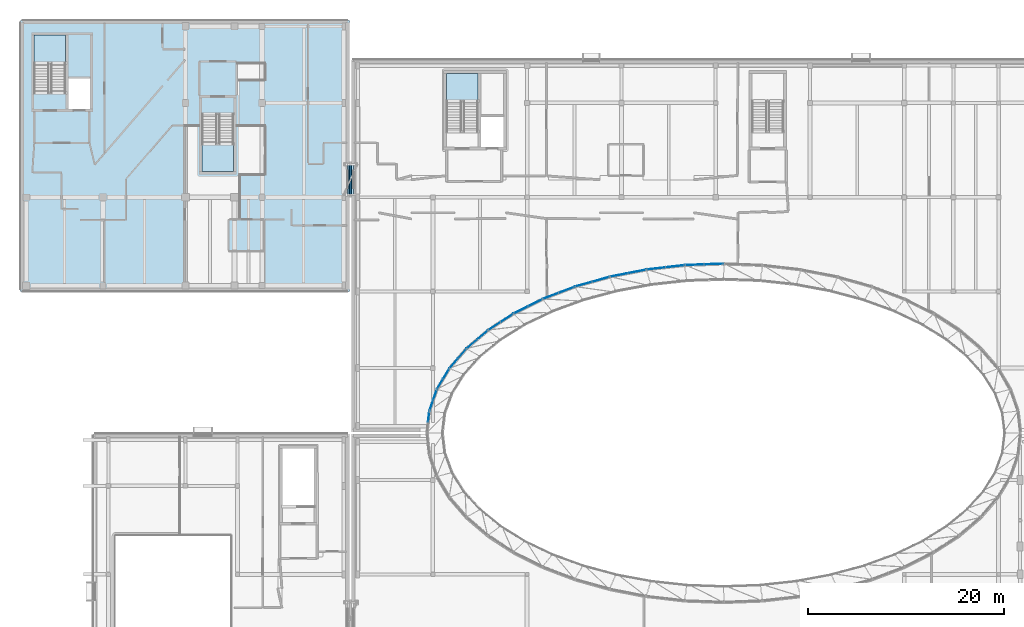
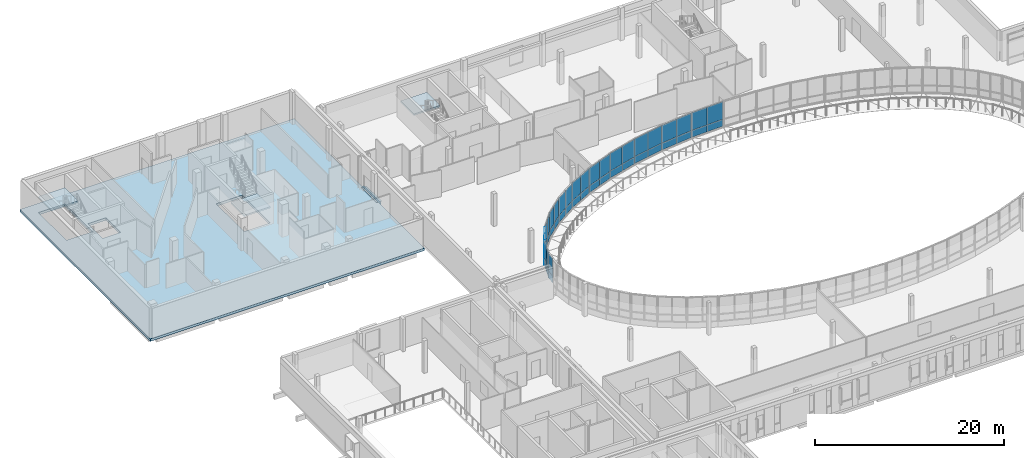
# One storey, part 32 of 73: 48 plates, 5 slabs, 15 elements without a shape of their own.
"""IFC4 building model written with IfcOpenShell, lengths in metres."""

import ifcopenshell
import ifcopenshell.guid

model = None  # the IFC model being written
_history = None  # IfcOwnerHistory: only IFC2X3 demands one
_inside = {}  # id of a spatial element -> (the spatial element, [elements in it])
_under = {}  # id of a project, library or spatial element -> (it, [spatial elements below it])
_declared = {}  # id of a project -> (the project, [libraries it declares])
_typed = {}  # id of a type object -> (the type object, [elements of that type])
_made_of = {}  # id of a material, layer set ... -> (it, [elements and type objects made of it])


def new_model(schema):
    """Start an empty IFC model of exactly this schema.

    Asked for "IFC4X3", IfcOpenShell would pick the latest addendum, in which some entities
    have other attributes; the version numbers below select the first issue.
    IFC2X3 requires an IfcOwnerHistory on every rooted entity: one is made here for all.
    """
    global model, _history
    if schema == "IFC4X3":
        model = ifcopenshell.file(schema_version=(4, 3, 0, 0))
    else:
        model = ifcopenshell.file(schema=schema)
    _inside.clear()
    _under.clear()
    _declared.clear()
    _typed.clear()
    _made_of.clear()
    _history = None
    if model.schema == "IFC2X3":
        org = make("IfcOrganization", Name="unknown")
        user = make(
            "IfcPersonAndOrganization",
            ThePerson=make("IfcPerson", FamilyName="unknown"),
            TheOrganization=org,
        )
        app = make(
            "IfcApplication",
            ApplicationDeveloper=org,
            Version="unknown",
            ApplicationFullName="unknown",
            ApplicationIdentifier="unknown",
        )
        _history = make(
            "IfcOwnerHistory",
            OwningUser=user,
            OwningApplication=app,
            ChangeAction="ADDED",
            CreationDate=0,
        )
    return model


def make(cls, **values):
    """One entity of the class cls with the attributes given. An attribute that is None is left unset."""
    return model.create_entity(
        cls, **{name: value for name, value in values.items() if value is not None}
    )


def rooted(cls, **values):
    """An entity with a GlobalId (a new one), such as an element, a storey or a relation."""
    return make(cls, GlobalId=ifcopenshell.guid.new(), OwnerHistory=_history, **values)


def si_unit(unit_type, name, prefix=None):
    """IfcSIUnit, for example si_unit("LENGTHUNIT", "METRE", prefix="MILLI")."""
    return make("IfcSIUnit", UnitType=unit_type, Prefix=prefix, Name=name)


def assignment(units):
    """IfcUnitAssignment: the units of a project."""
    return None if units is None else make("IfcUnitAssignment", Units=units)


def point(xyz):
    """IfcCartesianPoint."""
    return None if xyz is None else make("IfcCartesianPoint", Coordinates=xyz)


def direction(xyz):
    """IfcDirection."""
    return None if xyz is None else make("IfcDirection", DirectionRatios=xyz)


def frame(location, z_axis=None, x_axis=None):
    """IfcAxis2Placement3D, a coordinate frame: its origin and axes. An axis left out is left unset."""
    return make(
        "IfcAxis2Placement3D",
        Location=point(location),
        Axis=direction(z_axis),
        RefDirection=direction(x_axis),
    )


def frame_2d(location, x_axis=None):
    """IfcAxis2Placement2D, a coordinate frame in the plane: its origin and x axis."""
    return make(
        "IfcAxis2Placement2D", Location=point(location), RefDirection=direction(x_axis)
    )


def origin():
    """The frame at (0, 0, 0) with its axes left unset."""
    return frame((0.0, 0.0, 0.0))


def origin_2d():
    """The frame at (0, 0) in the plane with its x axis left unset."""
    return frame_2d((0.0, 0.0))


def place(relative_to, where):
    """IfcLocalPlacement: puts the frame where relative to a parent placement (None: the world)."""
    return make(
        "IfcLocalPlacement", PlacementRelTo=relative_to, RelativePlacement=where
    )


def context(
    kind, dimensions, precision=None, world=None, true_north=None, identifier=None
):
    """IfcGeometricRepresentationContext, for example the 3D "Model" context."""
    return make(
        "IfcGeometricRepresentationContext",
        ContextIdentifier=identifier,
        ContextType=kind,
        CoordinateSpaceDimension=dimensions,
        Precision=precision,
        WorldCoordinateSystem=world,
        TrueNorth=true_north,
    )


def subcontext(parent, identifier, kind, view, scale=None):
    """IfcGeometricRepresentationSubContext, for example "Body" below "Model"."""
    return make(
        "IfcGeometricRepresentationSubContext",
        ContextIdentifier=identifier,
        ContextType=kind,
        ParentContext=parent,
        TargetScale=scale,
        TargetView=view,
    )


def project(units=None, contexts=None):
    """IfcProject with its units and contexts."""
    return rooted(
        "IfcProject",
        Name="project",
        RepresentationContexts=contexts,
        UnitsInContext=assignment(units),
    )


def spatial(cls, under=None, at=None, **own):
    """A site, building, storey or space (cls), placed at a placement, below another one or the project."""
    s = rooted(cls, ObjectPlacement=at, **own)
    if under is not None:
        _under.setdefault(under.id(), (under, []))[1].append(s)
    return s


def polyline(points):
    """IfcPolyline through the points."""
    return make("IfcPolyline", Points=[point(p) for p in points])


def profile(cls, at=None, kind="AREA", **sizes):
    """A parametric profile (cls). Its sizes go by their IFC names, for example OverallWidth=200.0."""
    return make(cls, ProfileType=kind, Position=at, **sizes)


def rectangle(**sizes):
    """IfcRectangleProfileDef."""
    return profile("IfcRectangleProfileDef", **sizes)


def outline(outer, holes=None, kind="AREA"):
    """IfcArbitraryClosedProfileDef: a profile drawn as a closed curve; with holes, ...WithVoids."""
    if holes is None:
        return make("IfcArbitraryClosedProfileDef", ProfileType=kind, OuterCurve=outer)
    return make(
        "IfcArbitraryProfileDefWithVoids",
        ProfileType=kind,
        OuterCurve=outer,
        InnerCurves=holes,
    )


def extrude(swept, where, along, depth):
    """IfcExtrudedAreaSolid: the profile swept, set in the frame where, extruded along a direction by depth."""
    return make(
        "IfcExtrudedAreaSolid",
        SweptArea=swept,
        Position=where,
        ExtrudedDirection=direction(along),
        Depth=depth,
    )


def shape(context_of_items, identifier, shape_type, items):
    """IfcShapeRepresentation: the items that make up one representation, for example the "Body"."""
    return make(
        "IfcShapeRepresentation",
        ContextOfItems=context_of_items,
        RepresentationIdentifier=identifier,
        RepresentationType=shape_type,
        Items=items,
    )


def material(Name=None, Category=None):
    """IfcMaterial."""
    return make("IfcMaterial", Name=Name, Category=Category)


def layer(
    of_material, thickness, ventilated=None, Name=None, Category=None, Priority=None
):
    """IfcMaterialLayer: one layer of a wall or slab, of a material (None: an air gap)."""
    return make(
        "IfcMaterialLayer",
        Material=of_material,
        LayerThickness=thickness,
        IsVentilated=ventilated,
        Name=Name,
        Category=Category,
        Priority=Priority,
    )


def layer_set(layers, Name=None):
    """IfcMaterialLayerSet."""
    return make("IfcMaterialLayerSet", MaterialLayers=layers, LayerSetName=Name)


def made_of(thing, what):
    """Note that an element or type object is made of a material, layer set ...; save() writes the relation."""
    if what is not None:
        _made_of.setdefault(what.id(), (what, []))[1].append(thing)
    return thing


def type_object(cls, material=None, **own):
    """A type object (cls), such as IfcWallType, which elements share."""
    return made_of(rooted(cls, **own), material)


def element(
    cls,
    number,
    at=None,
    inside=None,
    cuts=None,
    type_object=None,
    material=None,
    context=None,
    identifier="Body",
    shape_type=None,
    held_by="IfcProductDefinitionShape",
    body=None,
    shapes=None,
    **own,
):
    """One element of the class cls, such as IfcWall. Its Tag is "e" and its number.

    at: its placement. inside: the storey or other place that contains it. cuts: it is an
    opening in that element (IfcRelVoidsElement). A single representation is given by context,
    identifier, shape_type and body (its items); several are given by shapes. held_by: the class
    of the entity that holds the representations. save() writes the other relations.
    """
    e = rooted(cls, Tag="e%d" % number, ObjectPlacement=at, **own)
    if body is not None:
        shapes = [shape(context, identifier, shape_type, body)]
    if shapes is not None:
        e.Representation = make(held_by, Representations=shapes)
    if inside is not None:
        _inside.setdefault(inside.id(), (inside, []))[1].append(e)
    if cuts is not None:
        rooted(
            "IfcRelVoidsElement", RelatingBuildingElement=cuts, RelatedOpeningElement=e
        )
    if type_object is not None:
        _typed.setdefault(type_object.id(), (type_object, []))[1].append(e)
    return made_of(e, material)


def aggregate(whole, parts):
    """IfcRelAggregates: a whole, such as a stair, and the parts it consists of."""
    return rooted("IfcRelAggregates", RelatingObject=whole, RelatedObjects=parts)


def save(model, path):
    """Write the relations noted so far, then the file.

    IfcRelAggregates (storeys below a building ...), IfcRelContainedInSpatialStructure (elements
    in a storey), IfcRelDefinesByType, IfcRelAssociatesMaterial and IfcRelDeclares: one each for
    every whole, place, type object, material and project.
    """
    for whole, parts in _under.values():
        aggregate(whole, parts)
    for where, things in _inside.values():
        rooted(
            "IfcRelContainedInSpatialStructure",
            RelatedElements=things,
            RelatingStructure=where,
        )
    for kind, things in _typed.values():
        rooted("IfcRelDefinesByType", RelatedObjects=things, RelatingType=kind)
    for what, things in _made_of.values():
        rooted("IfcRelAssociatesMaterial", RelatedObjects=things, RelatingMaterial=what)
    for by, libraries in _declared.values():
        rooted("IfcRelDeclares", RelatingContext=by, RelatedDefinitions=libraries)
    model.write(path)


model = new_model("IFC4")

# Units and contexts
model_context = context("Model", 3, precision=1e-05, world=origin(), true_north=direction((0.0, 1.0)))
body_context = subcontext(model_context, "Body", "Model", "MODEL_VIEW")
ifc_project = project(units=[si_unit("LENGTHUNIT", "METRE"), si_unit("AREAUNIT", "SQUARE_METRE"), si_unit("VOLUMEUNIT", "CUBIC_METRE"), si_unit("PLANEANGLEUNIT", "RADIAN"), si_unit("MASSUNIT", "GRAM", prefix="KILO")], contexts=[model_context])

# Site, building, storey
site_placement = place(None, origin())
site = spatial("IfcSite", under=ifc_project, at=site_placement, CompositionType="ELEMENT")
building_placement = place(site_placement, origin())
building = spatial("IfcBuilding", under=site, at=building_placement, Name="Mzevani Central Library", CompositionType="ELEMENT")
storey_placement = place(building_placement, frame((0.0, 0.0, 9.60009765625)))
storey = spatial("IfcBuildingStorey", under=building, at=storey_placement, Name="L02", CompositionType="ELEMENT", Elevation=9.60009765625)

# Curtain wall, plates
ifc_material_1 = material(Name="Thermally broken aluminium and Low-E triple glazing", Category="aluminium")
curtain_wall_type_1 = type_object("IfcCurtainWallType", Name="Reading Hall Northlight Curtain Wall", PredefinedType="NOTDEFINED", material=ifc_material_1)
curtain_wall_1_placement = place(storey_placement, origin())
curtain_wall_1 = element("IfcCurtainWall", 1, at=curtain_wall_1_placement, inside=storey, type_object=curtain_wall_type_1, Name="L02 Elliptical Court Curtain Wall 13", PredefinedType="NOTDEFINED")
ifc_material_2 = material(Name="Thermally broken aluminium AW-6060", Category="aluminium")
ifc_layer_1 = layer(ifc_material_2, 0.0419921875, Name="CW Insulated Spandrel Panel 42")
ifc_layer_set_1 = layer_set([ifc_layer_1], Name="Thermally broken aluminium AW-6060")
plate_type_1 = type_object("IfcPlateType", Name="CW Insulated Spandrel Panel 42", PredefinedType="CURTAIN_PANEL", material=ifc_layer_set_1)
plate_1_placement = place(storey_placement, frame((82.995849609375, 93.194580078125, 0.719970703125), z_axis=(0.0, 0.0, 1.0), x_axis=(-0.999309394498, -0.037158230165, 0.0)))
plate_1 = element("IfcPlate", 2, at=plate_1_placement, type_object=plate_type_1, Name="L02 Elliptical Court Curtain Wall 13 Spandrel Panel 1", PredefinedType="CURTAIN_PANEL", context=body_context, shape_type="SweptSolid", body=[
    extrude(rectangle(XDim=1.959228515625, YDim=0.0419921875, at=origin_2d()), origin(), (0.0, 0.0, 1.0), 0.89990234375),
])
plate_2_placement = place(storey_placement, frame((81.037841796875, 93.12158203125, 0.719970703125), z_axis=(0.0, 0.0, 1.0), x_axis=(-0.999309394498, -0.037158230165, 0.0)))
plate_2 = element("IfcPlate", 3, at=plate_2_placement, type_object=plate_type_1, Name="L02 Elliptical Court Curtain Wall 13 Spandrel Panel 3", PredefinedType="CURTAIN_PANEL", context=body_context, shape_type="SweptSolid", body=[
    extrude(rectangle(XDim=1.959228515625, YDim=0.0419921875, at=origin_2d()), origin(), (0.0, 0.0, 1.0), 0.89990234375),
])

curtain_wall_type_2 = type_object("IfcCurtainWallType", Name="Elliptical Court Unitised Curtain Wall", PredefinedType="NOTDEFINED", material=ifc_material_1)
curtain_wall_2_placement = place(storey_placement, origin())
curtain_wall_2 = element("IfcCurtainWall", 4, at=curtain_wall_2_placement, inside=storey, type_object=curtain_wall_type_2, Name="L02 Elliptical Court Curtain Wall 14", PredefinedType="NOTDEFINED")
plate_3_placement = place(storey_placement, frame((79.04931640625, 92.9658203125, 0.719970703125), z_axis=(0.0, 0.0, 1.0), x_axis=(-0.993696511115, -0.112103718933, 0.0)))
plate_3 = element("IfcPlate", 5, at=plate_3_placement, type_object=plate_type_1, Name="L02 Elliptical Court Curtain Wall 14 Spandrel Panel 1", PredefinedType="CURTAIN_PANEL", context=body_context, shape_type="SweptSolid", body=[
    extrude(rectangle(XDim=1.9365234375, YDim=0.0419921875, at=origin_2d()), origin(), (0.0, 0.0, 1.0), 0.89990234375),
])
plate_4_placement = place(storey_placement, frame((77.124755859375, 92.748779296875, 0.719970703125), z_axis=(0.0, 0.0, 1.0), x_axis=(-0.993696511115, -0.112103718933, 0.0)))
plate_4 = element("IfcPlate", 6, at=plate_4_placement, type_object=plate_type_1, Name="L02 Elliptical Court Curtain Wall 14 Spandrel Panel 3", PredefinedType="CURTAIN_PANEL", context=body_context, shape_type="SweptSolid", body=[
    extrude(rectangle(XDim=1.9365234375, YDim=0.0419921875, at=origin_2d()), origin(), (0.0, 0.0, 1.0), 0.89990234375),
])

curtain_wall_3_placement = place(storey_placement, origin())
curtain_wall_3 = element("IfcCurtainWall", 7, at=curtain_wall_3_placement, inside=storey, type_object=curtain_wall_type_2, Name="L02 Elliptical Court Curtain Wall 15", PredefinedType="NOTDEFINED")
plate_5_placement = place(storey_placement, frame((75.193359375, 92.442626953125, 0.719970703125), z_axis=(0.0, 0.0, 1.0), x_axis=(-0.981971911656, -0.189026888879, 0.0)))
plate_5 = element("IfcPlate", 8, at=plate_5_placement, type_object=plate_type_1, Name="L02 Elliptical Court Curtain Wall 15 Spandrel Panel 1", PredefinedType="CURTAIN_PANEL", context=body_context, shape_type="SweptSolid", body=[
    extrude(rectangle(XDim=1.89208984375, YDim=0.0419921875, at=origin_2d()), origin(), (0.0, 0.0, 1.0), 0.89990234375),
])
plate_6_placement = place(storey_placement, frame((73.33544921875, 92.0849609375, 0.719970703125), z_axis=(0.0, 0.0, 1.0), x_axis=(-0.981971911656, -0.189026888879, 0.0)))
plate_6 = element("IfcPlate", 9, at=plate_6_placement, type_object=plate_type_1, Name="L02 Elliptical Court Curtain Wall 15 Spandrel Panel 3", PredefinedType="CURTAIN_PANEL", context=body_context, shape_type="SweptSolid", body=[
    extrude(rectangle(XDim=1.89208984375, YDim=0.0419921875, at=origin_2d()), origin(), (0.0, 0.0, 1.0), 0.89990234375),
])

curtain_wall_4_placement = place(storey_placement, origin())
curtain_wall_4 = element("IfcCurtainWall", 10, at=curtain_wall_4_placement, inside=storey, type_object=curtain_wall_type_1, Name="L02 Elliptical Court Curtain Wall 16", PredefinedType="NOTDEFINED")
plate_7_placement = place(storey_placement, frame((71.4951171875, 91.63720703125, 0.719970703125), z_axis=(0.0, 0.0, 1.0), x_axis=(-0.9630535978, -0.269309798865, 0.0)))
plate_7 = element("IfcPlate", 11, at=plate_7_placement, type_object=plate_type_1, Name="L02 Elliptical Court Curtain Wall 16 Spandrel Panel 1", PredefinedType="CURTAIN_PANEL", context=body_context, shape_type="SweptSolid", body=[
    extrude(rectangle(XDim=1.827392578125, YDim=0.0419921875, at=origin_2d()), origin(), (0.0, 0.0, 1.0), 0.89990234375),
])
plate_8_placement = place(storey_placement, frame((69.735595703125, 91.145263671875, 0.719970703125), z_axis=(0.0, 0.0, 1.0), x_axis=(-0.9630535978, -0.269309798865, 0.0)))
plate_8 = element("IfcPlate", 12, at=plate_8_placement, type_object=plate_type_1, Name="L02 Elliptical Court Curtain Wall 16 Spandrel Panel 3", PredefinedType="CURTAIN_PANEL", context=body_context, shape_type="SweptSolid", body=[
    extrude(rectangle(XDim=1.827392578125, YDim=0.0419921875, at=origin_2d()), origin(), (0.0, 0.0, 1.0), 0.89990234375),
])

curtain_wall_5_placement = place(storey_placement, origin())
curtain_wall_5 = element("IfcCurtainWall", 13, at=curtain_wall_5_placement, inside=storey, type_object=curtain_wall_type_2, Name="L02 Elliptical Court Curtain Wall 17", PredefinedType="NOTDEFINED")
plate_9_placement = place(storey_placement, frame((68.0166015625, 90.56640625, 0.719970703125), z_axis=(0.0, 0.0, 1.0), x_axis=(-0.935125934048, -0.354315519659, 0.0)))
plate_9 = element("IfcPlate", 14, at=plate_9_placement, type_object=plate_type_1, Name="L02 Elliptical Court Curtain Wall 17 Spandrel Panel 1", PredefinedType="CURTAIN_PANEL", context=body_context, shape_type="SweptSolid", body=[
    extrude(rectangle(XDim=1.74462890625, YDim=0.0419921875, at=origin_2d()), origin(), (0.0, 0.0, 1.0), 0.89990234375),
])
plate_10_placement = place(storey_placement, frame((66.385009765625, 89.9482421875, 0.719970703125), z_axis=(0.0, 0.0, 1.0), x_axis=(-0.935125934048, -0.354315519659, 0.0)))
plate_10 = element("IfcPlate", 15, at=plate_10_placement, type_object=plate_type_1, Name="L02 Elliptical Court Curtain Wall 17 Spandrel Panel 3", PredefinedType="CURTAIN_PANEL", context=body_context, shape_type="SweptSolid", body=[
    extrude(rectangle(XDim=1.74462890625, YDim=0.0419921875, at=origin_2d()), origin(), (0.0, 0.0, 1.0), 0.89990234375),
])

curtain_wall_6_placement = place(storey_placement, origin())
curtain_wall_6 = element("IfcCurtainWall", 16, at=curtain_wall_6_placement, inside=storey, type_object=curtain_wall_type_2, Name="L02 Elliptical Court Curtain Wall 18", PredefinedType="NOTDEFINED")
plate_11_placement = place(storey_placement, frame((64.81494140625, 89.24951171875, 0.719970703125), z_axis=(0.0, 0.0, 1.0), x_axis=(-0.89539024804, -0.445282274198, 0.0)))
plate_11 = element("IfcPlate", 17, at=plate_11_placement, type_object=plate_type_1, Name="L02 Elliptical Court Curtain Wall 18 Spandrel Panel 1", PredefinedType="CURTAIN_PANEL", context=body_context, shape_type="SweptSolid", body=[
    extrude(rectangle(XDim=1.6474609375, YDim=0.0419921875, at=origin_2d()), origin(), (0.0, 0.0, 1.0), 0.89990234375),
])
plate_12_placement = place(storey_placement, frame((63.339599609375, 88.515869140625, 0.719970703125), z_axis=(0.0, 0.0, 1.0), x_axis=(-0.89539024804, -0.445282274198, 0.0)))
plate_12 = element("IfcPlate", 18, at=plate_12_placement, type_object=plate_type_1, Name="L02 Elliptical Court Curtain Wall 18 Spandrel Panel 3", PredefinedType="CURTAIN_PANEL", context=body_context, shape_type="SweptSolid", body=[
    extrude(rectangle(XDim=1.6474609375, YDim=0.0419921875, at=origin_2d()), origin(), (0.0, 0.0, 1.0), 0.89990234375),
])

curtain_wall_7_placement = place(storey_placement, origin())
curtain_wall_7 = element("IfcCurtainWall", 19, at=curtain_wall_7_placement, inside=storey, type_object=curtain_wall_type_1, Name="L02 Elliptical Court Curtain Wall 19", PredefinedType="NOTDEFINED")
plate_13_placement = place(storey_placement, frame((61.94287109375, 87.709228515625, 0.719970703125), z_axis=(0.0, 0.0, 1.0), x_axis=(-0.839732660597, -0.543000054076, 0.0)))
plate_13 = element("IfcPlate", 20, at=plate_13_placement, type_object=plate_type_1, Name="L02 Elliptical Court Curtain Wall 19 Spandrel Panel 1", PredefinedType="CURTAIN_PANEL", context=body_context, shape_type="SweptSolid", body=[
    extrude(rectangle(XDim=1.54052734375, YDim=0.0419921875, at=origin_2d()), origin(), (0.0, 0.0, 1.0), 0.89990234375),
])
plate_14_placement = place(storey_placement, frame((60.649169921875, 86.87255859375, 0.719970703125), z_axis=(0.0, 0.0, 1.0), x_axis=(-0.839732660597, -0.543000054076, 0.0)))
plate_14 = element("IfcPlate", 21, at=plate_14_placement, type_object=plate_type_1, Name="L02 Elliptical Court Curtain Wall 19 Spandrel Panel 3", PredefinedType="CURTAIN_PANEL", context=body_context, shape_type="SweptSolid", body=[
    extrude(rectangle(XDim=1.54052734375, YDim=0.0419921875, at=origin_2d()), origin(), (0.0, 0.0, 1.0), 0.89990234375),
])

curtain_wall_8_placement = place(storey_placement, origin())
curtain_wall_8 = element("IfcCurtainWall", 22, at=curtain_wall_8_placement, inside=storey, type_object=curtain_wall_type_2, Name="L02 Elliptical Court Curtain Wall 20", PredefinedType="NOTDEFINED")
plate_15_placement = place(storey_placement, frame((59.44873046875, 85.971923828125, 0.719970703125), z_axis=(0.0, 0.0, 1.0), x_axis=(-0.762434605675, -0.647065276514, 0.0)))
plate_15 = element("IfcPlate", 23, at=plate_15_placement, type_object=plate_type_1, Name="L02 Elliptical Court Curtain Wall 20 Spandrel Panel 1", PredefinedType="CURTAIN_PANEL", context=body_context, shape_type="SweptSolid", body=[
    extrude(rectangle(XDim=1.4296875, YDim=0.0419921875, at=origin_2d()), origin(), (0.0, 0.0, 1.0), 0.89990234375),
])
plate_16_placement = place(storey_placement, frame((58.358642578125, 85.046630859375, 0.719970703125), z_axis=(0.0, 0.0, 1.0), x_axis=(-0.762434605675, -0.647065276514, 0.0)))
plate_16 = element("IfcPlate", 24, at=plate_16_placement, type_object=plate_type_1, Name="L02 Elliptical Court Curtain Wall 20 Spandrel Panel 3", PredefinedType="CURTAIN_PANEL", context=body_context, shape_type="SweptSolid", body=[
    extrude(rectangle(XDim=1.4296875, YDim=0.0419921875, at=origin_2d()), origin(), (0.0, 0.0, 1.0), 0.89990234375),
])

curtain_wall_9_placement = place(storey_placement, origin())
curtain_wall_9 = element("IfcCurtainWall", 25, at=curtain_wall_9_placement, inside=storey, type_object=curtain_wall_type_2, Name="L02 Elliptical Court Curtain Wall 21", PredefinedType="NOTDEFINED")
plate_17_placement = place(storey_placement, frame((57.37353515625, 84.06640625, 0.719970703125), z_axis=(0.0, 0.0, 1.0), x_axis=(-0.656226299394, -0.754564141729, 0.0)))
plate_17 = element("IfcPlate", 26, at=plate_17_placement, type_object=plate_type_1, Name="L02 Elliptical Court Curtain Wall 21 Spandrel Panel 1", PredefinedType="CURTAIN_PANEL", context=body_context, shape_type="SweptSolid", body=[
    extrude(rectangle(XDim=1.322509765625, YDim=0.0419921875, at=origin_2d()), origin(), (0.0, 0.0, 1.0), 0.89990234375),
])
plate_18_placement = place(storey_placement, frame((56.505615234375, 83.068603515625, 0.719970703125), z_axis=(0.0, 0.0, 1.0), x_axis=(-0.656226299394, -0.754564141729, 0.0)))
plate_18 = element("IfcPlate", 27, at=plate_18_placement, type_object=plate_type_1, Name="L02 Elliptical Court Curtain Wall 21 Spandrel Panel 3", PredefinedType="CURTAIN_PANEL", context=body_context, shape_type="SweptSolid", body=[
    extrude(rectangle(XDim=1.322509765625, YDim=0.0419921875, at=origin_2d()), origin(), (0.0, 0.0, 1.0), 0.89990234375),
])

curtain_wall_10_placement = place(storey_placement, origin())
curtain_wall_10 = element("IfcCurtainWall", 28, at=curtain_wall_10_placement, inside=storey, type_object=curtain_wall_type_1, Name="L02 Elliptical Court Curtain Wall 22", PredefinedType="NOTDEFINED")
plate_19_placement = place(storey_placement, frame((55.752197265625, 82.025146484375, 0.719970703125), z_axis=(0.0, 0.0, 1.0), x_axis=(-0.513620622967, -0.858017398228, 0.0)))
plate_19 = element("IfcPlate", 29, at=plate_19_placement, type_object=plate_type_1, Name="L02 Elliptical Court Curtain Wall 22 Spandrel Panel 1", PredefinedType="CURTAIN_PANEL", context=body_context, shape_type="SweptSolid", body=[
    extrude(rectangle(XDim=1.227783203125, YDim=0.0419921875, at=origin_2d()), origin(), (0.0, 0.0, 1.0), 0.89990234375),
])
plate_20_placement = place(storey_placement, frame((55.12158203125, 80.971435546875, 0.719970703125), z_axis=(0.0, 0.0, 1.0), x_axis=(-0.513620622967, -0.858017398228, 0.0)))
plate_20 = element("IfcPlate", 30, at=plate_20_placement, type_object=plate_type_1, Name="L02 Elliptical Court Curtain Wall 22 Spandrel Panel 3", PredefinedType="CURTAIN_PANEL", context=body_context, shape_type="SweptSolid", body=[
    extrude(rectangle(XDim=1.227783203125, YDim=0.0419921875, at=origin_2d()), origin(), (0.0, 0.0, 1.0), 0.89990234375),
])

curtain_wall_11_placement = place(storey_placement, origin())
curtain_wall_11 = element("IfcCurtainWall", 31, at=curtain_wall_11_placement, inside=storey, type_object=curtain_wall_type_2, Name="L02 Elliptical Court Curtain Wall 23", PredefinedType="NOTDEFINED")
plate_21_placement = place(storey_placement, frame((54.6123046875, 79.882080078125, 0.719970703125), z_axis=(0.0, 0.0, 1.0), x_axis=(-0.331001932634, -0.943630076138, 0.0)))
plate_21 = element("IfcPlate", 32, at=plate_21_placement, type_object=plate_type_1, Name="L02 Elliptical Court Curtain Wall 23 Spandrel Panel 1", PredefinedType="CURTAIN_PANEL", context=body_context, shape_type="SweptSolid", body=[
    extrude(rectangle(XDim=1.156494140625, YDim=0.0419921875, at=origin_2d()), origin(), (0.0, 0.0, 1.0), 0.89990234375),
])
plate_22_placement = place(storey_placement, frame((54.2294921875, 78.790771484375, 0.719970703125), z_axis=(0.0, 0.0, 1.0), x_axis=(-0.331001932634, -0.943630076138, 0.0)))
plate_22 = element("IfcPlate", 33, at=plate_22_placement, type_object=plate_type_1, Name="L02 Elliptical Court Curtain Wall 23 Spandrel Panel 3", PredefinedType="CURTAIN_PANEL", context=body_context, shape_type="SweptSolid", body=[
    extrude(rectangle(XDim=1.156494140625, YDim=0.0419921875, at=origin_2d()), origin(), (0.0, 0.0, 1.0), 0.89990234375),
])

# Curtain wall, plate
curtain_wall_12_placement = place(storey_placement, origin())
curtain_wall_12 = element("IfcCurtainWall", 34, at=curtain_wall_12_placement, inside=storey, type_object=curtain_wall_type_2, Name="L02 Elliptical Court Curtain Wall 24", PredefinedType="NOTDEFINED")
plate_23_placement = place(storey_placement, frame((53.97265625, 77.673583984375, 0.719970703125), z_axis=(0.0, 0.0, 1.0), x_axis=(-0.114794980787, -0.993389204887, 0.0)))
plate_23 = element("IfcPlate", 35, at=plate_23_placement, type_object=plate_type_1, Name="L02 Elliptical Court Curtain Wall 24 Spandrel Panel 1", PredefinedType="CURTAIN_PANEL", context=body_context, shape_type="SweptSolid", body=[
    extrude(rectangle(XDim=1.11767578125, YDim=0.0419921875, at=origin_2d()), origin(), (0.0, 0.0, 1.0), 0.89990234375),
])

# Plate
ifc_material_3 = material(Name="Low-E triple glazing glass", Category="glass")
ifc_layer_2 = layer(ifc_material_3, 0.028076171875, Name="CW Triple Glazed Vision Panel 28")
ifc_layer_set_2 = layer_set([ifc_layer_2], Name="Low-E triple glazing glass")
plate_type_2 = type_object("IfcPlateType", Name="CW Triple Glazed Vision Panel 28", PredefinedType="CURTAIN_PANEL", material=ifc_layer_set_2)
plate_24_placement = place(storey_placement, frame((82.995849609375, 93.194580078125, 1.6201171875), z_axis=(0.0, 0.0, 1.0), x_axis=(-0.999309394498, -0.037158230165, 0.0)))
plate_24 = element("IfcPlate", 36, at=plate_24_placement, type_object=plate_type_2, Name="L02 Elliptical Court Curtain Wall 13 Vision Panel 2", PredefinedType="CURTAIN_PANEL", context=body_context, shape_type="SweptSolid", body=[
    extrude(rectangle(XDim=1.959228515625, YDim=0.028076171875, at=origin_2d()), origin(), (0.0, 0.0, 1.0), 2.300048828125),
])

plate_25_placement = place(storey_placement, frame((81.037841796875, 93.12158203125, 1.6201171875), z_axis=(0.0, 0.0, 1.0), x_axis=(-0.999309394498, -0.037158230165, 0.0)))
plate_25 = element("IfcPlate", 37, at=plate_25_placement, type_object=plate_type_2, Name="L02 Elliptical Court Curtain Wall 13 Vision Panel 4", PredefinedType="CURTAIN_PANEL", context=body_context, shape_type="SweptSolid", body=[
    extrude(rectangle(XDim=1.959228515625, YDim=0.028076171875, at=origin_2d()), origin(), (0.0, 0.0, 1.0), 2.300048828125),
])

aggregate(curtain_wall_1, [plate_1, plate_24, plate_2, plate_25])

plate_26_placement = place(storey_placement, frame((79.04931640625, 92.9658203125, 1.6201171875), z_axis=(0.0, 0.0, 1.0), x_axis=(-0.993696511115, -0.112103718933, 0.0)))
plate_26 = element("IfcPlate", 38, at=plate_26_placement, type_object=plate_type_2, Name="L02 Elliptical Court Curtain Wall 14 Vision Panel 2", PredefinedType="CURTAIN_PANEL", context=body_context, shape_type="SweptSolid", body=[
    extrude(rectangle(XDim=1.9365234375, YDim=0.028076171875, at=origin_2d()), origin(), (0.0, 0.0, 1.0), 2.300048828125),
])

plate_27_placement = place(storey_placement, frame((77.124755859375, 92.748779296875, 1.6201171875), z_axis=(0.0, 0.0, 1.0), x_axis=(-0.993696511115, -0.112103718933, 0.0)))
plate_27 = element("IfcPlate", 39, at=plate_27_placement, type_object=plate_type_2, Name="L02 Elliptical Court Curtain Wall 14 Vision Panel 4", PredefinedType="CURTAIN_PANEL", context=body_context, shape_type="SweptSolid", body=[
    extrude(rectangle(XDim=1.9365234375, YDim=0.028076171875, at=origin_2d()), origin(), (0.0, 0.0, 1.0), 2.300048828125),
])

aggregate(curtain_wall_2, [plate_3, plate_26, plate_4, plate_27])

plate_28_placement = place(storey_placement, frame((75.193359375, 92.442626953125, 1.6201171875), z_axis=(0.0, 0.0, 1.0), x_axis=(-0.981971911656, -0.189026888879, 0.0)))
plate_28 = element("IfcPlate", 40, at=plate_28_placement, type_object=plate_type_2, Name="L02 Elliptical Court Curtain Wall 15 Vision Panel 2", PredefinedType="CURTAIN_PANEL", context=body_context, shape_type="SweptSolid", body=[
    extrude(rectangle(XDim=1.89208984375, YDim=0.028076171875, at=origin_2d()), origin(), (0.0, 0.0, 1.0), 2.300048828125),
])

plate_29_placement = place(storey_placement, frame((73.33544921875, 92.0849609375, 1.6201171875), z_axis=(0.0, 0.0, 1.0), x_axis=(-0.981971911656, -0.189026888879, 0.0)))
plate_29 = element("IfcPlate", 41, at=plate_29_placement, type_object=plate_type_2, Name="L02 Elliptical Court Curtain Wall 15 Vision Panel 4", PredefinedType="CURTAIN_PANEL", context=body_context, shape_type="SweptSolid", body=[
    extrude(rectangle(XDim=1.89208984375, YDim=0.028076171875, at=origin_2d()), origin(), (0.0, 0.0, 1.0), 2.300048828125),
])

aggregate(curtain_wall_3, [plate_5, plate_28, plate_6, plate_29])

plate_30_placement = place(storey_placement, frame((71.4951171875, 91.63720703125, 1.6201171875), z_axis=(0.0, 0.0, 1.0), x_axis=(-0.9630535978, -0.269309798865, 0.0)))
plate_30 = element("IfcPlate", 42, at=plate_30_placement, type_object=plate_type_2, Name="L02 Elliptical Court Curtain Wall 16 Vision Panel 2", PredefinedType="CURTAIN_PANEL", context=body_context, shape_type="SweptSolid", body=[
    extrude(rectangle(XDim=1.827392578125, YDim=0.028076171875, at=origin_2d()), origin(), (0.0, 0.0, 1.0), 2.300048828125),
])

plate_31_placement = place(storey_placement, frame((69.735595703125, 91.145263671875, 1.6201171875), z_axis=(0.0, 0.0, 1.0), x_axis=(-0.9630535978, -0.269309798865, 0.0)))
plate_31 = element("IfcPlate", 43, at=plate_31_placement, type_object=plate_type_2, Name="L02 Elliptical Court Curtain Wall 16 Vision Panel 4", PredefinedType="CURTAIN_PANEL", context=body_context, shape_type="SweptSolid", body=[
    extrude(rectangle(XDim=1.827392578125, YDim=0.028076171875, at=origin_2d()), origin(), (0.0, 0.0, 1.0), 2.300048828125),
])

aggregate(curtain_wall_4, [plate_7, plate_30, plate_8, plate_31])

plate_32_placement = place(storey_placement, frame((68.0166015625, 90.56640625, 1.6201171875), z_axis=(0.0, 0.0, 1.0), x_axis=(-0.935125934048, -0.354315519659, 0.0)))
plate_32 = element("IfcPlate", 44, at=plate_32_placement, type_object=plate_type_2, Name="L02 Elliptical Court Curtain Wall 17 Vision Panel 2", PredefinedType="CURTAIN_PANEL", context=body_context, shape_type="SweptSolid", body=[
    extrude(rectangle(XDim=1.74462890625, YDim=0.028076171875, at=origin_2d()), origin(), (0.0, 0.0, 1.0), 2.300048828125),
])

plate_33_placement = place(storey_placement, frame((66.385009765625, 89.9482421875, 1.6201171875), z_axis=(0.0, 0.0, 1.0), x_axis=(-0.935125934048, -0.354315519659, 0.0)))
plate_33 = element("IfcPlate", 45, at=plate_33_placement, type_object=plate_type_2, Name="L02 Elliptical Court Curtain Wall 17 Vision Panel 4", PredefinedType="CURTAIN_PANEL", context=body_context, shape_type="SweptSolid", body=[
    extrude(rectangle(XDim=1.74462890625, YDim=0.028076171875, at=origin_2d()), origin(), (0.0, 0.0, 1.0), 2.300048828125),
])

aggregate(curtain_wall_5, [plate_9, plate_32, plate_10, plate_33])

plate_34_placement = place(storey_placement, frame((64.81494140625, 89.24951171875, 1.6201171875), z_axis=(0.0, 0.0, 1.0), x_axis=(-0.89539024804, -0.445282274198, 0.0)))
plate_34 = element("IfcPlate", 46, at=plate_34_placement, type_object=plate_type_2, Name="L02 Elliptical Court Curtain Wall 18 Vision Panel 2", PredefinedType="CURTAIN_PANEL", context=body_context, shape_type="SweptSolid", body=[
    extrude(rectangle(XDim=1.6474609375, YDim=0.028076171875, at=origin_2d()), origin(), (0.0, 0.0, 1.0), 2.300048828125),
])

plate_35_placement = place(storey_placement, frame((63.339599609375, 88.515869140625, 1.6201171875), z_axis=(0.0, 0.0, 1.0), x_axis=(-0.89539024804, -0.445282274198, 0.0)))
plate_35 = element("IfcPlate", 47, at=plate_35_placement, type_object=plate_type_2, Name="L02 Elliptical Court Curtain Wall 18 Vision Panel 4", PredefinedType="CURTAIN_PANEL", context=body_context, shape_type="SweptSolid", body=[
    extrude(rectangle(XDim=1.6474609375, YDim=0.028076171875, at=origin_2d()), origin(), (0.0, 0.0, 1.0), 2.300048828125),
])

aggregate(curtain_wall_6, [plate_11, plate_34, plate_12, plate_35])

plate_36_placement = place(storey_placement, frame((61.94287109375, 87.709228515625, 1.6201171875), z_axis=(0.0, 0.0, 1.0), x_axis=(-0.839732660597, -0.543000054076, 0.0)))
plate_36 = element("IfcPlate", 48, at=plate_36_placement, type_object=plate_type_2, Name="L02 Elliptical Court Curtain Wall 19 Vision Panel 2", PredefinedType="CURTAIN_PANEL", context=body_context, shape_type="SweptSolid", body=[
    extrude(rectangle(XDim=1.54052734375, YDim=0.028076171875, at=origin_2d()), origin(), (0.0, 0.0, 1.0), 2.300048828125),
])

plate_37_placement = place(storey_placement, frame((60.649169921875, 86.87255859375, 1.6201171875), z_axis=(0.0, 0.0, 1.0), x_axis=(-0.839732660597, -0.543000054076, 0.0)))
plate_37 = element("IfcPlate", 49, at=plate_37_placement, type_object=plate_type_2, Name="L02 Elliptical Court Curtain Wall 19 Vision Panel 4", PredefinedType="CURTAIN_PANEL", context=body_context, shape_type="SweptSolid", body=[
    extrude(rectangle(XDim=1.54052734375, YDim=0.028076171875, at=origin_2d()), origin(), (0.0, 0.0, 1.0), 2.300048828125),
])

aggregate(curtain_wall_7, [plate_13, plate_36, plate_14, plate_37])

plate_38_placement = place(storey_placement, frame((59.44873046875, 85.971923828125, 1.6201171875), z_axis=(0.0, 0.0, 1.0), x_axis=(-0.762434605675, -0.647065276514, 0.0)))
plate_38 = element("IfcPlate", 50, at=plate_38_placement, type_object=plate_type_2, Name="L02 Elliptical Court Curtain Wall 20 Vision Panel 2", PredefinedType="CURTAIN_PANEL", context=body_context, shape_type="SweptSolid", body=[
    extrude(rectangle(XDim=1.4296875, YDim=0.028076171875, at=origin_2d()), origin(), (0.0, 0.0, 1.0), 2.300048828125),
])

plate_39_placement = place(storey_placement, frame((58.358642578125, 85.046630859375, 1.6201171875), z_axis=(0.0, 0.0, 1.0), x_axis=(-0.762434605675, -0.647065276514, 0.0)))
plate_39 = element("IfcPlate", 51, at=plate_39_placement, type_object=plate_type_2, Name="L02 Elliptical Court Curtain Wall 20 Vision Panel 4", PredefinedType="CURTAIN_PANEL", context=body_context, shape_type="SweptSolid", body=[
    extrude(rectangle(XDim=1.4296875, YDim=0.028076171875, at=origin_2d()), origin(), (0.0, 0.0, 1.0), 2.300048828125),
])

aggregate(curtain_wall_8, [plate_15, plate_38, plate_16, plate_39])

plate_40_placement = place(storey_placement, frame((57.37353515625, 84.06640625, 1.6201171875), z_axis=(0.0, 0.0, 1.0), x_axis=(-0.656226299394, -0.754564141729, 0.0)))
plate_40 = element("IfcPlate", 52, at=plate_40_placement, type_object=plate_type_2, Name="L02 Elliptical Court Curtain Wall 21 Vision Panel 2", PredefinedType="CURTAIN_PANEL", context=body_context, shape_type="SweptSolid", body=[
    extrude(rectangle(XDim=1.322509765625, YDim=0.028076171875, at=origin_2d()), origin(), (0.0, 0.0, 1.0), 2.300048828125),
])

plate_41_placement = place(storey_placement, frame((56.505615234375, 83.068603515625, 1.6201171875), z_axis=(0.0, 0.0, 1.0), x_axis=(-0.656226299394, -0.754564141729, 0.0)))
plate_41 = element("IfcPlate", 53, at=plate_41_placement, type_object=plate_type_2, Name="L02 Elliptical Court Curtain Wall 21 Vision Panel 4", PredefinedType="CURTAIN_PANEL", context=body_context, shape_type="SweptSolid", body=[
    extrude(rectangle(XDim=1.322509765625, YDim=0.028076171875, at=origin_2d()), origin(), (0.0, 0.0, 1.0), 2.300048828125),
])

aggregate(curtain_wall_9, [plate_17, plate_40, plate_18, plate_41])

plate_42_placement = place(storey_placement, frame((55.752197265625, 82.025146484375, 1.6201171875), z_axis=(0.0, 0.0, 1.0), x_axis=(-0.513620622967, -0.858017398228, 0.0)))
plate_42 = element("IfcPlate", 54, at=plate_42_placement, type_object=plate_type_2, Name="L02 Elliptical Court Curtain Wall 22 Vision Panel 2", PredefinedType="CURTAIN_PANEL", context=body_context, shape_type="SweptSolid", body=[
    extrude(rectangle(XDim=1.227783203125, YDim=0.028076171875, at=origin_2d()), origin(), (0.0, 0.0, 1.0), 2.300048828125),
])

plate_43_placement = place(storey_placement, frame((55.12158203125, 80.971435546875, 1.6201171875), z_axis=(0.0, 0.0, 1.0), x_axis=(-0.513620622967, -0.858017398228, 0.0)))
plate_43 = element("IfcPlate", 55, at=plate_43_placement, type_object=plate_type_2, Name="L02 Elliptical Court Curtain Wall 22 Vision Panel 4", PredefinedType="CURTAIN_PANEL", context=body_context, shape_type="SweptSolid", body=[
    extrude(rectangle(XDim=1.227783203125, YDim=0.028076171875, at=origin_2d()), origin(), (0.0, 0.0, 1.0), 2.300048828125),
])

aggregate(curtain_wall_10, [plate_19, plate_42, plate_20, plate_43])

plate_44_placement = place(storey_placement, frame((54.6123046875, 79.882080078125, 1.6201171875), z_axis=(0.0, 0.0, 1.0), x_axis=(-0.331001932634, -0.943630076138, 0.0)))
plate_44 = element("IfcPlate", 56, at=plate_44_placement, type_object=plate_type_2, Name="L02 Elliptical Court Curtain Wall 23 Vision Panel 2", PredefinedType="CURTAIN_PANEL", context=body_context, shape_type="SweptSolid", body=[
    extrude(rectangle(XDim=1.156494140625, YDim=0.028076171875, at=origin_2d()), origin(), (0.0, 0.0, 1.0), 2.300048828125),
])

plate_45_placement = place(storey_placement, frame((54.2294921875, 78.790771484375, 1.6201171875), z_axis=(0.0, 0.0, 1.0), x_axis=(-0.331001932634, -0.943630076138, 0.0)))
plate_45 = element("IfcPlate", 57, at=plate_45_placement, type_object=plate_type_2, Name="L02 Elliptical Court Curtain Wall 23 Vision Panel 4", PredefinedType="CURTAIN_PANEL", context=body_context, shape_type="SweptSolid", body=[
    extrude(rectangle(XDim=1.156494140625, YDim=0.028076171875, at=origin_2d()), origin(), (0.0, 0.0, 1.0), 2.300048828125),
])

aggregate(curtain_wall_11, [plate_21, plate_44, plate_22, plate_45])

plate_46_placement = place(storey_placement, frame((53.97265625, 77.673583984375, 1.6201171875), z_axis=(0.0, 0.0, 1.0), x_axis=(-0.114794980787, -0.993389204887, 0.0)))
plate_46 = element("IfcPlate", 58, at=plate_46_placement, type_object=plate_type_2, Name="L02 Elliptical Court Curtain Wall 24 Vision Panel 2", PredefinedType="CURTAIN_PANEL", context=body_context, shape_type="SweptSolid", body=[
    extrude(rectangle(XDim=1.11767578125, YDim=0.028076171875, at=origin_2d()), origin(), (0.0, 0.0, 1.0), 2.300048828125),
])

aggregate(curtain_wall_12, [plate_23, plate_46])

# Slabs
ifc_material_4 = material(Name="Concrete C40/50", Category="concrete")
ifc_layer_3 = layer(ifc_material_4, 0.320068359375, Name="Compact Stack Floor Slab 320")
ifc_layer_set_3 = layer_set([ifc_layer_3], Name="Concrete C40/50")
slab_type_1 = type_object("IfcSlabType", Name="Compact Stack Floor Slab 320", PredefinedType="FLOOR", material=ifc_layer_set_3)
slab_1_placement = place(storey_placement, frame((0.0, 0.0, -0.320068359375)))
element("IfcSlab", 59, at=slab_1_placement, inside=storey, type_object=slab_type_1, Name="L02 V2 Structural Slab FS-04", PredefinedType="FLOOR", context=body_context, shape_type="SweptSolid", body=[
    extrude(outline(polyline([(45.89990234375, 90.39990234375), (12.39990234375, 90.39990234375), (12.39990234375, 118.0), (45.89990234375, 118.0), (45.89990234375, 90.39990234375)]), holes=[polyline([(17.0, 110.60009765625), (17.0, 116.5), (13.800048828125, 116.5), (13.800048828125, 110.60009765625), (17.0, 110.60009765625)]), polyline([(17.300048828125, 109.0), (19.5, 109.0), (19.5, 112.10009765625), (17.300048828125, 112.10009765625), (17.300048828125, 109.0)]), polyline([(30.89990234375, 108.5), (30.89990234375, 102.60009765625), (34.10009765625, 102.60009765625), (34.10009765625, 108.5), (30.89990234375, 108.5)])]), origin(), (0.0, 0.0, 1.0), 0.320068359375),
])
ifc_material_5 = material(Name="Concrete C35/45", Category="concrete")
ifc_layer_4 = layer(ifc_material_5, 0.239990234375, Name="Seismic Link Bridge Deck 240")
ifc_layer_set_4 = layer_set([ifc_layer_4], Name="Concrete C35/45")
slab_type_2 = type_object("IfcSlabType", Name="Seismic Link Bridge Deck 240", PredefinedType="FLOOR", material=ifc_layer_set_4)
slab_2_placement = place(storey_placement, frame((0.0, 0.0, -0.239990234375)))
element("IfcSlab", 60, at=slab_2_placement, inside=storey, type_object=slab_type_2, Name="L02 Stacks-Court Seismic Passage L02 Deck", PredefinedType="FLOOR", context=body_context, shape_type="SweptSolid", body=[
    extrude(outline(polyline([(45.89990234375, 100.0), (46.10009765625, 100.0), (46.10009765625, 103.60009765625), (45.89990234375, 103.60009765625), (45.89990234375, 100.0)])), origin(), (0.0, 0.0, 1.0), 0.239990234375),
])

# Stair, slab
stair_type = type_object("IfcStairType", Name="Dogleg Exit Stair 175x280", PredefinedType="HALF_TURN_STAIR", material=ifc_material_5)
stair_1_placement = place(storey_placement, origin())
stair_1 = element("IfcStair", 61, at=stair_1_placement, inside=storey, type_object=stair_type, Name="L02 Core C2A North-West Firefighting Core Exit Stair ST-02", PredefinedType="HALF_TURN_STAIR")
ifc_layer_5 = layer(ifc_material_5, 0.199951171875, Name="Stair Landing Slab 200")
ifc_layer_set_5 = layer_set([ifc_layer_5], Name="Concrete C35/45")
slab_type_3 = type_object("IfcSlabType", Name="Stair Landing Slab 200", PredefinedType="LANDING", material=ifc_layer_set_5)
slab_3_placement = place(storey_placement, frame((0.0, 0.0, 1.89990234375)))
slab_3 = element("IfcSlab", 62, at=slab_3_placement, type_object=slab_type_3, Name="ST-03 landing 1", PredefinedType="LANDING", context=body_context, shape_type="SweptSolid", body=[
    extrude(outline(polyline([(17.0, 113.679931640625), (17.0, 116.5), (13.800048828125, 116.5), (13.800048828125, 113.679931640625), (17.0, 113.679931640625)])), origin(), (0.0, 0.0, 1.0), 0.199951171875),
])
aggregate(stair_1, [slab_3])

stair_2_placement = place(storey_placement, origin())
stair_2 = element("IfcStair", 63, at=stair_2_placement, inside=storey, type_object=stair_type, Name="L02 Core C2B Stacks East Escape Stair Exit Stair ST-02", PredefinedType="HALF_TURN_STAIR")
slab_4_placement = place(storey_placement, frame((0.0, 0.0, 1.89990234375)))
slab_4 = element("IfcSlab", 64, at=slab_4_placement, type_object=slab_type_3, Name="ST-04 landing 1", PredefinedType="LANDING", context=body_context, shape_type="SweptSolid", body=[
    extrude(outline(polyline([(30.89990234375, 105.419921875), (30.89990234375, 102.60009765625), (34.10009765625, 102.60009765625), (34.10009765625, 105.419921875), (30.89990234375, 105.419921875)])), origin(), (0.0, 0.0, 1.0), 0.199951171875),
])
aggregate(stair_2, [slab_4])

stair_3_placement = place(storey_placement, origin())
stair_3 = element("IfcStair", 65, at=stair_3_placement, inside=storey, type_object=stair_type, Name="L02 Core C3A North-East Firefighting Core Exit Stair ST-02", PredefinedType="HALF_TURN_STAIR")
slab_5_placement = place(storey_placement, frame((0.0, 0.0, 1.89990234375)))
slab_5 = element("IfcSlab", 66, at=slab_5_placement, type_object=slab_type_3, Name="ST-05 landing 1", PredefinedType="LANDING", context=body_context, shape_type="SweptSolid", body=[
    extrude(outline(polyline([(59.0, 109.780029296875), (59.0, 112.60009765625), (55.800048828125, 112.60009765625), (55.800048828125, 109.780029296875), (59.0, 109.780029296875)])), origin(), (0.0, 0.0, 1.0), 0.199951171875),
])
aggregate(stair_3, [slab_5])

# Plates
ifc_material_6 = material(Name="Steel S355J2", Category="steel")
ifc_layer_6 = layer(ifc_material_6, 0.035888671875, Name="Truss Splice Flange Plate 36")
ifc_layer_set_6 = layer_set([ifc_layer_6], Name="Steel S355J2")
plate_type_3 = type_object("IfcPlateType", Name="Truss Splice Flange Plate 36", PredefinedType="USERDEFINED", material=ifc_layer_set_6)
for number, where, z_axis, x_axis, name in (
    (67, (45.89990234375, 101.800048828125, -0.0361328125), (0.0, 0.0, 1.0), (1.0, 0.0, 0.0), "L02 Stacks-Court Seismic Passage L02 Walkable Seismic Threshold Cover Plate 1"),
    (68, (46.10009765625, 101.800048828125, -0.0361328125), (0.0, 0.0, 1.0), (1.0, 0.0, 0.0), "L02 Stacks-Court Seismic Passage L02 Walkable Seismic Threshold Cover Plate 2"),
):
    element("IfcPlate", number, at=place(storey_placement, frame(where, z_axis=z_axis, x_axis=x_axis)), inside=storey, type_object=plate_type_3, Name=name, ObjectType="SPLICE PLATE", PredefinedType="USERDEFINED", context=body_context, shape_type="SweptSolid", body=[
        extrude(rectangle(XDim=0.419921875, YDim=3.199951171875, at=origin_2d()), origin(), (0.0, 0.0, 1.0), 0.035888671875),
    ])

save(model, "model.ifc")
